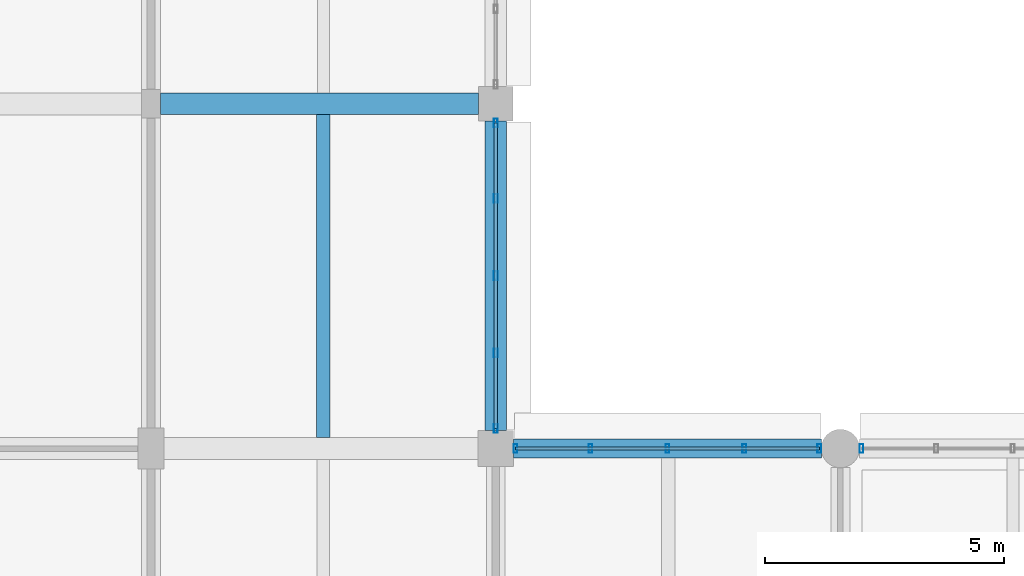
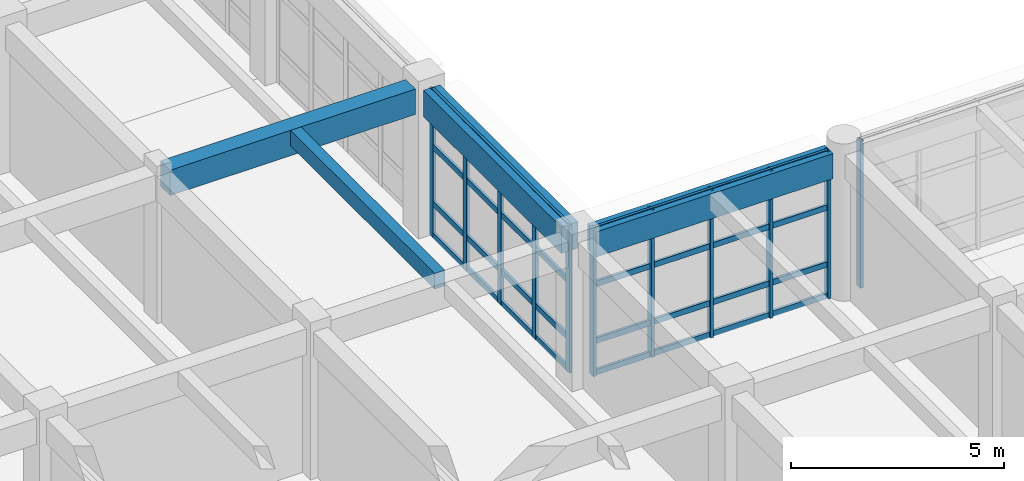
# One storey, part 49 of 171: 19 members, 4 beams, 3 elements without a shape of their own.
"""IFC4 building model written with IfcOpenShell, lengths in metres."""

from ifc_helpers import new_model, si_unit, direction, frame, origin, origin_2d, place, context, subcontext, project, spatial, rectangle, hollow_rectangle, extrude, material, material_profile, profile_set, type_object, element, aggregate, save


model = new_model("IFC4")

# Units and contexts
model_context = context("Model", 3, precision=1e-05, world=origin(), true_north=direction((0.0, 1.0)))
body_context = subcontext(model_context, "Body", "Model", "MODEL_VIEW")
ifc_project = project(units=[si_unit("LENGTHUNIT", "METRE"), si_unit("AREAUNIT", "SQUARE_METRE"), si_unit("VOLUMEUNIT", "CUBIC_METRE"), si_unit("PLANEANGLEUNIT", "RADIAN"), si_unit("MASSUNIT", "GRAM", prefix="KILO")], contexts=[model_context])

# Site, building, storey
site_placement = place(None, origin())
site = spatial("IfcSite", under=ifc_project, at=site_placement, CompositionType="ELEMENT")
building_placement = place(site_placement, origin())
building = spatial("IfcBuilding", under=site, at=building_placement, Name="Thalmaran Polytechnic", CompositionType="ELEMENT")
storey_placement = place(building_placement, frame((0.0, 0.0, 5.39990234375)))
storey = spatial("IfcBuildingStorey", under=building, at=storey_placement, Name="L01", CompositionType="ELEMENT", Elevation=5.39990234375)

# Beams
ifc_material_1 = material(Name="Concrete C40/50", Category="concrete")
ifc_material_profile_1 = material_profile(ifc_material_1, rectangle(XDim=0.449951171875, YDim=0.72509765625, at=origin_2d()), Name="RC 450x725")
ifc_profile_set_1 = profile_set([ifc_material_profile_1], Name="Concrete C40/50")
beam_type_1 = type_object("IfcBeamType", Name="BM-RC04", PredefinedType="BEAM", material=ifc_profile_set_1)
beam_1_placement = place(storey_placement, frame((14.60009765625, 79.199951171875, 3.84765625), z_axis=(1.0, 0.0, 0.0), x_axis=(0.0, 1.0, 0.0)))
element("IfcBeam", 1, at=beam_1_placement, inside=storey, type_object=beam_type_1, Name="Grid Beam B04 L01 X(2,11)", PredefinedType="BEAM", context=body_context, shape_type="SweptSolid", body=[
    extrude(rectangle(XDim=0.449951171875, YDim=0.72509765625, at=origin_2d()), origin(), (0.0, 0.0, 1.0), 6.639892578125),
])
ifc_material_profile_2 = material_profile(ifc_material_1, rectangle(XDim=0.280029296875, YDim=0.449951171875, at=origin_2d()), Name="RC 280x450")
ifc_profile_set_2 = profile_set([ifc_material_profile_2], Name="Concrete C40/50")
beam_type_2 = type_object("IfcBeamType", Name="BM-RC13", PredefinedType="JOIST", material=ifc_profile_set_2)
beam_2_placement = place(storey_placement, frame((18.0, 72.22509765625, 3.985107421875), z_axis=(0.0, 1.0, 0.0), x_axis=(-1.0, 0.0, 0.0)))
element("IfcBeam", 2, at=beam_2_placement, inside=storey, type_object=beam_type_2, Name="Secondary Floor Rib RB03 L01 (2,10)", PredefinedType="JOIST", context=body_context, shape_type="SweptSolid", body=[
    extrude(rectangle(XDim=0.280029296875, YDim=0.449951171875, at=origin_2d()), origin(), (0.0, 0.0, 1.0), 6.75),
])
ifc_material_profile_3 = material_profile(ifc_material_1, rectangle(XDim=0.39990234375, YDim=0.719970703125, at=origin_2d()), Name="RC 400x720")
ifc_profile_set_3 = profile_set([ifc_material_profile_3], Name="Concrete C40/50")
beam_type_3 = type_object("IfcBeamType", Name="BM-SP01", PredefinedType="SPANDREL", material=ifc_profile_set_3)
beam_3_placement = place(storey_placement, frame((21.97509765625, 72.0, 3.85009765625), z_axis=(1.0, 0.0, 0.0), x_axis=(0.0, 1.0, 0.0)))
element("IfcBeam", 3, at=beam_3_placement, inside=storey, type_object=beam_type_3, Name="Grid Beam SP01 L01 X(3,10)", PredefinedType="SPANDREL", context=body_context, shape_type="SweptSolid", body=[
    extrude(rectangle(XDim=0.39990234375, YDim=0.719970703125, at=origin_2d()), origin(), (0.0, 0.0, 1.0), 6.4248046875),
])
ifc_material_profile_4 = material_profile(ifc_material_1, rectangle(XDim=0.449951171875, YDim=0.7548828125, at=origin_2d()), Name="RC 450x755")
ifc_profile_set_4 = profile_set([ifc_material_profile_4], Name="Concrete C40/50")
beam_type_4 = type_object("IfcBeamType", Name="BM-SP02", PredefinedType="SPANDREL", material=ifc_profile_set_4)
beam_4_placement = place(storey_placement, frame((21.60009765625, 72.375, 3.83251953125), z_axis=(0.0, 1.0, 0.0), x_axis=(-1.0, 0.0, 0.0)))
element("IfcBeam", 4, at=beam_4_placement, inside=storey, type_object=beam_type_4, Name="Grid Beam SP02 L01 Y(3,10)", PredefinedType="SPANDREL", context=body_context, shape_type="SweptSolid", body=[
    extrude(rectangle(XDim=0.449951171875, YDim=0.7548828125, at=origin_2d()), origin(), (0.0, 0.0, 1.0), 6.465087890625),
])

# Curtain wall, members
ifc_material_2 = material(Name="Aluminium 6063-T6", Category="aluminium")
curtain_wall_type_1 = type_object("IfcCurtainWallType", Name="CW-UC02", PredefinedType="USERDEFINED", material=ifc_material_2)
curtain_wall_1_placement = place(storey_placement, origin())
curtain_wall_1 = element("IfcCurtainWall", 5, at=curtain_wall_1_placement, inside=storey, type_object=curtain_wall_type_1, Name="Curtain Wall CW-L01-138", ObjectType="UNITISED CURTAIN WALL", PredefinedType="USERDEFINED")
ifc_material_profile_5 = material_profile(ifc_material_2, hollow_rectangle(XDim=0.080078125, YDim=0.179931640625, WallThickness=0.0048828125, at=origin_2d()), Name="RHS 180x80x5.0")
ifc_profile_set_5 = profile_set([ifc_material_profile_5], Name="Aluminium 6063-T6")
member_type_1 = type_object("IfcMemberType", Name="CW-MUL1", PredefinedType="MULLION", material=ifc_profile_set_5)
member_1_placement = place(storey_placement, frame((21.60009765625, 78.800048828125, 0.0), z_axis=(0.0, 0.0, 1.0), x_axis=(1.0, 0.0, 0.0)))
member_1 = element("IfcMember", 6, at=member_1_placement, type_object=member_type_1, Name="CW-L01-138 Mullion 1", PredefinedType="MULLION", context=body_context, shape_type="SweptSolid", body=[
    extrude(hollow_rectangle(XDim=0.080078125, YDim=0.179931640625, WallThickness=0.0048828125, at=origin_2d()), origin(), (0.0, 0.0, 1.0), 4.210205078125),
])
member_2_placement = place(storey_placement, frame((21.60009765625, 77.2236328125, 0.0), z_axis=(0.0, 0.0, 1.0), x_axis=(1.0, 0.0, 0.0)))
member_2 = element("IfcMember", 7, at=member_2_placement, type_object=member_type_1, Name="CW-L01-138 Mullion 2", PredefinedType="MULLION", context=body_context, shape_type="SweptSolid", body=[
    extrude(hollow_rectangle(XDim=0.080078125, YDim=0.179931640625, WallThickness=0.0048828125, at=origin_2d()), origin(), (0.0, 0.0, 1.0), 4.210205078125),
])
member_3_placement = place(storey_placement, frame((21.60009765625, 75.607421875, 0.0), z_axis=(0.0, 0.0, 1.0), x_axis=(1.0, 0.0, 0.0)))
member_3 = element("IfcMember", 8, at=member_3_placement, type_object=member_type_1, Name="CW-L01-138 Mullion 3", PredefinedType="MULLION", context=body_context, shape_type="SweptSolid", body=[
    extrude(hollow_rectangle(XDim=0.080078125, YDim=0.179931640625, WallThickness=0.0048828125, at=origin_2d()), origin(), (0.0, 0.0, 1.0), 4.210205078125),
])
member_4_placement = place(storey_placement, frame((21.60009765625, 73.9912109375, 0.0), z_axis=(0.0, 0.0, 1.0), x_axis=(1.0, 0.0, 0.0)))
member_4 = element("IfcMember", 9, at=member_4_placement, type_object=member_type_1, Name="CW-L01-138 Mullion 4", PredefinedType="MULLION", context=body_context, shape_type="SweptSolid", body=[
    extrude(hollow_rectangle(XDim=0.080078125, YDim=0.179931640625, WallThickness=0.0048828125, at=origin_2d()), origin(), (0.0, 0.0, 1.0), 4.210205078125),
])
member_5_placement = place(storey_placement, frame((21.60009765625, 72.4150390625, 0.0), z_axis=(0.0, 0.0, 1.0), x_axis=(1.0, 0.0, 0.0)))
member_5 = element("IfcMember", 10, at=member_5_placement, type_object=member_type_1, Name="CW-L01-138 Mullion 5", PredefinedType="MULLION", context=body_context, shape_type="SweptSolid", body=[
    extrude(hollow_rectangle(XDim=0.080078125, YDim=0.179931640625, WallThickness=0.0048828125, at=origin_2d()), origin(), (0.0, 0.0, 1.0), 4.210205078125),
])

curtain_wall_2_placement = place(storey_placement, origin())
curtain_wall_2 = element("IfcCurtainWall", 11, at=curtain_wall_2_placement, inside=storey, type_object=curtain_wall_type_1, Name="Curtain Wall CW-L01-139", ObjectType="UNITISED CURTAIN WALL", PredefinedType="USERDEFINED")
member_6_placement = place(storey_placement, frame((22.014892578125, 72.0, 0.0), z_axis=(0.0, 0.0, 1.0), x_axis=(1.0, 0.0, 0.0)))
member_6 = element("IfcMember", 12, at=member_6_placement, type_object=member_type_1, Name="CW-L01-139 Mullion 1", PredefinedType="MULLION", context=body_context, shape_type="SweptSolid", body=[
    extrude(hollow_rectangle(XDim=0.080078125, YDim=0.179931640625, WallThickness=0.0048828125, at=origin_2d()), origin(), (0.0, 0.0, 1.0), 4.210205078125),
])
member_7_placement = place(storey_placement, frame((23.581298828125, 72.0, 0.0), z_axis=(0.0, 0.0, 1.0), x_axis=(1.0, 0.0, 0.0)))
member_7 = element("IfcMember", 13, at=member_7_placement, type_object=member_type_1, Name="CW-L01-139 Mullion 2", PredefinedType="MULLION", context=body_context, shape_type="SweptSolid", body=[
    extrude(hollow_rectangle(XDim=0.080078125, YDim=0.179931640625, WallThickness=0.0048828125, at=origin_2d()), origin(), (0.0, 0.0, 1.0), 4.210205078125),
])
member_8_placement = place(storey_placement, frame((25.1875, 72.0, 0.0), z_axis=(0.0, 0.0, 1.0), x_axis=(1.0, 0.0, 0.0)))
member_8 = element("IfcMember", 14, at=member_8_placement, type_object=member_type_1, Name="CW-L01-139 Mullion 3", PredefinedType="MULLION", context=body_context, shape_type="SweptSolid", body=[
    extrude(hollow_rectangle(XDim=0.080078125, YDim=0.179931640625, WallThickness=0.0048828125, at=origin_2d()), origin(), (0.0, 0.0, 1.0), 4.210205078125),
])
member_9_placement = place(storey_placement, frame((26.793701171875, 72.0, 0.0), z_axis=(0.0, 0.0, 1.0), x_axis=(1.0, 0.0, 0.0)))
member_9 = element("IfcMember", 15, at=member_9_placement, type_object=member_type_1, Name="CW-L01-139 Mullion 4", PredefinedType="MULLION", context=body_context, shape_type="SweptSolid", body=[
    extrude(hollow_rectangle(XDim=0.080078125, YDim=0.179931640625, WallThickness=0.0048828125, at=origin_2d()), origin(), (0.0, 0.0, 1.0), 4.210205078125),
])
member_10_placement = place(storey_placement, frame((28.360107421875, 72.0, 0.0), z_axis=(0.0, 0.0, 1.0), x_axis=(1.0, 0.0, 0.0)))
member_10 = element("IfcMember", 16, at=member_10_placement, type_object=member_type_1, Name="CW-L01-139 Mullion 5", PredefinedType="MULLION", context=body_context, shape_type="SweptSolid", body=[
    extrude(hollow_rectangle(XDim=0.080078125, YDim=0.179931640625, WallThickness=0.0048828125, at=origin_2d()), origin(), (0.0, 0.0, 1.0), 4.210205078125),
])

# Curtain wall, member
curtain_wall_type_2 = type_object("IfcCurtainWallType", Name="CW-SC01", PredefinedType="USERDEFINED", material=ifc_material_2)
curtain_wall_3_placement = place(storey_placement, origin())
curtain_wall_3 = element("IfcCurtainWall", 17, at=curtain_wall_3_placement, inside=storey, type_object=curtain_wall_type_2, Name="Curtain Wall CW-L01-140", ObjectType="STICK CURTAIN WALL", PredefinedType="USERDEFINED")
member_11_placement = place(storey_placement, frame((29.239990234375, 72.0, 0.0), z_axis=(0.0, 0.0, 1.0), x_axis=(1.0, 0.0, 0.0)))
member_11 = element("IfcMember", 18, at=member_11_placement, type_object=member_type_1, Name="CW-L01-140 Mullion 1", PredefinedType="MULLION", context=body_context, shape_type="SweptSolid", body=[
    extrude(hollow_rectangle(XDim=0.080078125, YDim=0.179931640625, WallThickness=0.0048828125, at=origin_2d()), origin(), (0.0, 0.0, 1.0), 4.210205078125),
])
aggregate(curtain_wall_3, [member_11])

# Member
ifc_material_profile_6 = material_profile(ifc_material_2, hollow_rectangle(XDim=0.070068359375, YDim=0.159912109375, WallThickness=0.00390625, at=origin_2d()), Name="AL 160x70x4.0")
ifc_profile_set_6 = profile_set([ifc_material_profile_6], Name="Aluminium 6063-T6")
member_type_2 = type_object("IfcMemberType", Name="CW-TRN1", PredefinedType="USERDEFINED", material=ifc_profile_set_6)
member_12_placement = place(storey_placement, frame((21.60009765625, 78.800048828125, 0.06005859375), z_axis=(0.0, -1.0, 0.0), x_axis=(1.0, 0.0, 0.0)))
member_12 = element("IfcMember", 19, at=member_12_placement, type_object=member_type_2, Name="CW-L01-138 Transom 1", ObjectType="TRANSOM", PredefinedType="USERDEFINED", context=body_context, shape_type="SweptSolid", body=[
    extrude(hollow_rectangle(XDim=0.070068359375, YDim=0.159912109375, WallThickness=0.00390625, at=origin_2d()), origin(), (0.0, 0.0, 1.0), 6.385009765625),
])

member_13_placement = place(storey_placement, frame((21.60009765625, 78.800048828125, 0.960205078125), z_axis=(0.0, -1.0, 0.0), x_axis=(1.0, 0.0, 0.0)))
member_13 = element("IfcMember", 20, at=member_13_placement, type_object=member_type_2, Name="CW-L01-138 Transom 2", ObjectType="TRANSOM", PredefinedType="USERDEFINED", context=body_context, shape_type="SweptSolid", body=[
    extrude(hollow_rectangle(XDim=0.070068359375, YDim=0.159912109375, WallThickness=0.00390625, at=origin_2d()), origin(), (0.0, 0.0, 1.0), 6.385009765625),
])

member_14_placement = place(storey_placement, frame((21.60009765625, 78.800048828125, 2.585205078125), z_axis=(0.0, -1.0, 0.0), x_axis=(1.0, 0.0, 0.0)))
member_14 = element("IfcMember", 21, at=member_14_placement, type_object=member_type_2, Name="CW-L01-138 Transom 3", ObjectType="TRANSOM", PredefinedType="USERDEFINED", context=body_context, shape_type="SweptSolid", body=[
    extrude(hollow_rectangle(XDim=0.070068359375, YDim=0.159912109375, WallThickness=0.00390625, at=origin_2d()), origin(), (0.0, 0.0, 1.0), 6.385009765625),
])

member_15_placement = place(storey_placement, frame((21.60009765625, 78.800048828125, 4.150146484375), z_axis=(0.0, -1.0, 0.0), x_axis=(1.0, 0.0, 0.0)))
member_15 = element("IfcMember", 22, at=member_15_placement, type_object=member_type_2, Name="CW-L01-138 Transom 4", ObjectType="TRANSOM", PredefinedType="USERDEFINED", context=body_context, shape_type="SweptSolid", body=[
    extrude(hollow_rectangle(XDim=0.070068359375, YDim=0.159912109375, WallThickness=0.00390625, at=origin_2d()), origin(), (0.0, 0.0, 1.0), 6.385009765625),
])

aggregate(curtain_wall_1, [member_1, member_2, member_3, member_4, member_5, member_12, member_13, member_14, member_15])

member_16_placement = place(storey_placement, frame((22.014892578125, 72.0, 0.06005859375), z_axis=(1.0, 0.0, 0.0), x_axis=(0.0, 1.0, 0.0)))
member_16 = element("IfcMember", 23, at=member_16_placement, type_object=member_type_2, Name="CW-L01-139 Transom 1", ObjectType="TRANSOM", PredefinedType="USERDEFINED", context=body_context, shape_type="SweptSolid", body=[
    extrude(hollow_rectangle(XDim=0.070068359375, YDim=0.159912109375, WallThickness=0.00390625, at=origin_2d()), origin(), (0.0, 0.0, 1.0), 6.34521484375),
])

member_17_placement = place(storey_placement, frame((22.014892578125, 72.0, 0.960205078125), z_axis=(1.0, 0.0, 0.0), x_axis=(0.0, 1.0, 0.0)))
member_17 = element("IfcMember", 24, at=member_17_placement, type_object=member_type_2, Name="CW-L01-139 Transom 2", ObjectType="TRANSOM", PredefinedType="USERDEFINED", context=body_context, shape_type="SweptSolid", body=[
    extrude(hollow_rectangle(XDim=0.070068359375, YDim=0.159912109375, WallThickness=0.00390625, at=origin_2d()), origin(), (0.0, 0.0, 1.0), 6.34521484375),
])

member_18_placement = place(storey_placement, frame((22.014892578125, 72.0, 2.585205078125), z_axis=(1.0, 0.0, 0.0), x_axis=(0.0, 1.0, 0.0)))
member_18 = element("IfcMember", 25, at=member_18_placement, type_object=member_type_2, Name="CW-L01-139 Transom 3", ObjectType="TRANSOM", PredefinedType="USERDEFINED", context=body_context, shape_type="SweptSolid", body=[
    extrude(hollow_rectangle(XDim=0.070068359375, YDim=0.159912109375, WallThickness=0.00390625, at=origin_2d()), origin(), (0.0, 0.0, 1.0), 6.34521484375),
])

member_19_placement = place(storey_placement, frame((22.014892578125, 72.0, 4.150146484375), z_axis=(1.0, 0.0, 0.0), x_axis=(0.0, 1.0, 0.0)))
member_19 = element("IfcMember", 26, at=member_19_placement, type_object=member_type_2, Name="CW-L01-139 Transom 4", ObjectType="TRANSOM", PredefinedType="USERDEFINED", context=body_context, shape_type="SweptSolid", body=[
    extrude(hollow_rectangle(XDim=0.070068359375, YDim=0.159912109375, WallThickness=0.00390625, at=origin_2d()), origin(), (0.0, 0.0, 1.0), 6.34521484375),
])

aggregate(curtain_wall_2, [member_6, member_7, member_8, member_9, member_10, member_16, member_17, member_18, member_19])

save(model, "model.ifc")
